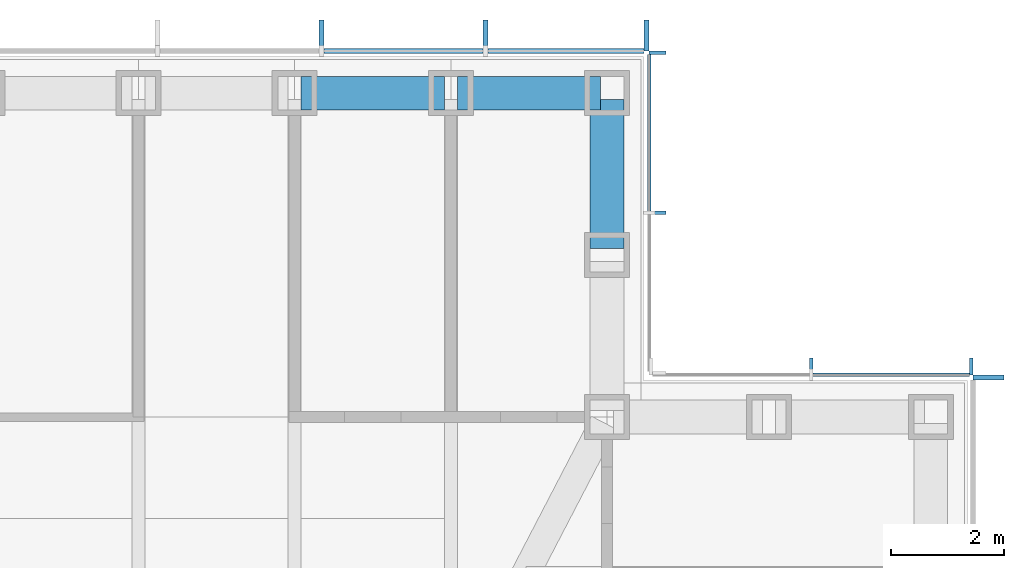
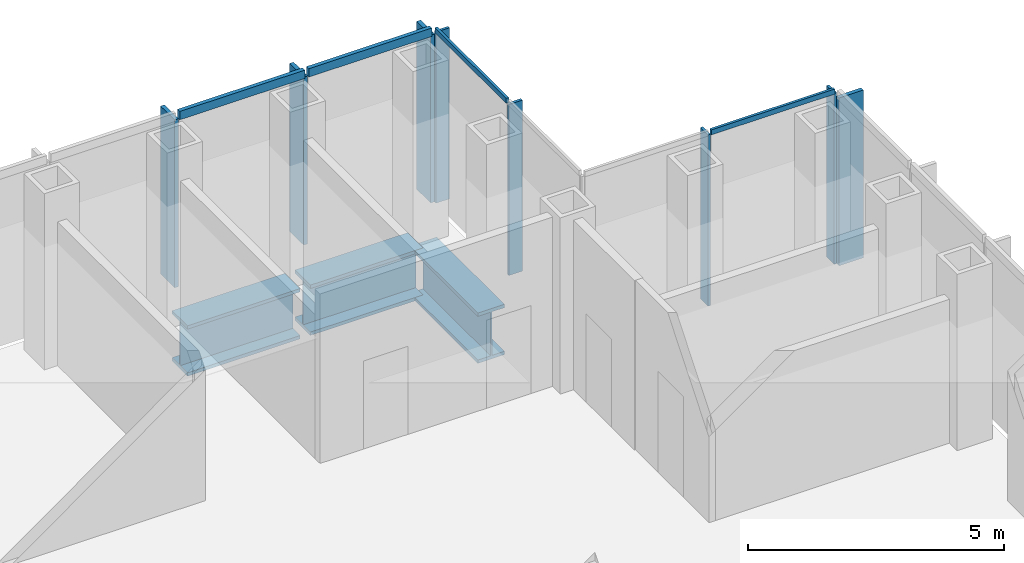
# One storey, part 6 of 16: 12 members, 3 beams, 4 elements without a shape of their own.
"""IFC4 building model written with IfcOpenShell, lengths in metres."""

from ifc_helpers import new_model, si_unit, direction, frame, origin, origin_2d, place, context, subcontext, project, spatial, rectangle, i_section, extrude, material, material_profile, profile_set, type_object, element, aggregate, save


model = new_model("IFC4")

# Units and contexts
model_context = context("Model", 3, precision=1e-05, world=origin(), true_north=direction((0.0, 1.0)))
body_context = subcontext(model_context, "Body", "Model", "MODEL_VIEW")
ifc_project = project(units=[si_unit("LENGTHUNIT", "METRE"), si_unit("AREAUNIT", "SQUARE_METRE"), si_unit("VOLUMEUNIT", "CUBIC_METRE"), si_unit("PLANEANGLEUNIT", "RADIAN"), si_unit("MASSUNIT", "GRAM", prefix="KILO")], contexts=[model_context])

# Site, building, storey
site_placement = place(None, origin())
site = spatial("IfcSite", under=ifc_project, at=site_placement, CompositionType="ELEMENT")
building_placement = place(site_placement, origin())
building = spatial("IfcBuilding", under=site, at=building_placement, Name="Daluyong Arena Tower", CompositionType="ELEMENT")
storey_placement = place(building_placement, frame((0.0, 0.0, 254.5)))
storey = spatial("IfcBuildingStorey", under=building, at=storey_placement, Name="L57", CompositionType="ELEMENT", Elevation=254.5)

# Curtain wall, member
ifc_material_1 = material(Name="Bronze anodised aluminium and glass", Category="aluminium")
curtain_wall_type_1 = type_object("IfcCurtainWallType", Name="Curtain wall CW4", PredefinedType="USERDEFINED", material=ifc_material_1)
curtain_wall_1_placement = place(storey_placement, origin())
curtain_wall_1 = element("IfcCurtainWall", 1, at=curtain_wall_1_placement, inside=storey, type_object=curtain_wall_type_1, Name="curtain wall L57 E", ObjectType="UNITISED CURTAIN WALL", PredefinedType="USERDEFINED")
ifc_material_2 = material(Name="Bronze anodised aluminium fin", Category="aluminium")
ifc_material_profile_1 = material_profile(ifc_material_2, rectangle(XDim=0.550048828125, YDim=0.090087890625, at=origin_2d()))
ifc_profile_set_1 = profile_set([ifc_material_profile_1], Name="Bronze anodised aluminium fin")
member_type_1 = type_object("IfcMemberType", Name="CW4 bronze fin 550x90", PredefinedType="MULLION", material=ifc_profile_set_1)
member_1_placement = place(storey_placement, frame((78.02490234375, 95.955078125, 0.0), z_axis=(0.0, 0.0, 1.0), x_axis=(-1.0, 0.0, 0.0)))
member_1 = element("IfcMember", 2, at=member_1_placement, type_object=member_type_1, Name="curtain wall L57 E fin 12", PredefinedType="MULLION", context=body_context, shape_type="SweptSolid", body=[
    extrude(rectangle(XDim=0.550048828125, YDim=0.090087890625, at=origin_2d()), origin(), (0.0, 0.0, 1.0), 4.0),
])
aggregate(curtain_wall_1, [member_1])

# Curtain wall, members
curtain_wall_2_placement = place(storey_placement, origin())
curtain_wall_2 = element("IfcCurtainWall", 3, at=curtain_wall_2_placement, inside=storey, type_object=curtain_wall_type_1, Name="curtain wall L57 N", ObjectType="UNITISED CURTAIN WALL", PredefinedType="USERDEFINED")
member_2_placement = place(storey_placement, frame((71.955078125, 102.02490234375, 0.0), z_axis=(0.0, 0.0, 1.0), x_axis=(0.0, -1.0, 0.0)))
member_2 = element("IfcMember", 4, at=member_2_placement, type_object=member_type_1, Name="curtain wall L57 N fin 1", PredefinedType="MULLION", context=body_context, shape_type="SweptSolid", body=[
    extrude(rectangle(XDim=0.550048828125, YDim=0.090087890625, at=origin_2d()), origin(), (0.0, 0.0, 1.0), 4.0),
])
member_3_placement = place(storey_placement, frame((69.0908203125, 102.02490234375, 0.0), z_axis=(0.0, 0.0, 1.0), x_axis=(0.0, -1.0, 0.0)))
member_3 = element("IfcMember", 5, at=member_3_placement, type_object=member_type_1, Name="curtain wall L57 N fin 2", PredefinedType="MULLION", context=body_context, shape_type="SweptSolid", body=[
    extrude(rectangle(XDim=0.550048828125, YDim=0.090087890625, at=origin_2d()), origin(), (0.0, 0.0, 1.0), 4.0),
])
member_4_placement = place(storey_placement, frame((66.181884765625, 102.02490234375, 0.0), z_axis=(0.0, 0.0, 1.0), x_axis=(0.0, -1.0, 0.0)))
member_4 = element("IfcMember", 6, at=member_4_placement, type_object=member_type_1, Name="curtain wall L57 N fin 3", PredefinedType="MULLION", context=body_context, shape_type="SweptSolid", body=[
    extrude(rectangle(XDim=0.550048828125, YDim=0.090087890625, at=origin_2d()), origin(), (0.0, 0.0, 1.0), 4.0),
])
ifc_material_3 = material(Name="Bronze anodised aluminium", Category="aluminium")
ifc_material_profile_2 = material_profile(ifc_material_3, rectangle(XDim=0.090087890625, YDim=0.199951171875, at=origin_2d()))
ifc_profile_set_2 = profile_set([ifc_material_profile_2], Name="Bronze anodised aluminium")
member_type_2 = type_object("IfcMemberType", Name="CW4 stack transom 200x90", PredefinedType="USERDEFINED", material=ifc_profile_set_2)
member_5_placement = place(storey_placement, frame((71.909912109375, 101.75, 4.10009765625), z_axis=(-1.0, 0.0, 0.0), x_axis=(0.0, -1.0, 0.0)))
member_5 = element("IfcMember", 7, at=member_5_placement, type_object=member_type_2, Name="curtain wall L57 N transom 1", ObjectType="TRANSOM", PredefinedType="USERDEFINED", context=body_context, shape_type="SweptSolid", body=[
    extrude(rectangle(XDim=0.090087890625, YDim=0.199951171875, at=origin_2d()), origin(), (0.0, 0.0, 1.0), 2.77392578125),
])
member_6_placement = place(storey_placement, frame((69.0458984375, 101.75, 4.10009765625), z_axis=(-1.0, 0.0, 0.0), x_axis=(0.0, -1.0, 0.0)))
member_6 = element("IfcMember", 8, at=member_6_placement, type_object=member_type_2, Name="curtain wall L57 N transom 2", ObjectType="TRANSOM", PredefinedType="USERDEFINED", context=body_context, shape_type="SweptSolid", body=[
    extrude(rectangle(XDim=0.090087890625, YDim=0.199951171875, at=origin_2d()), origin(), (0.0, 0.0, 1.0), 2.819091796875),
])
aggregate(curtain_wall_2, [member_2, member_3, member_4, member_5, member_6])

ifc_material_4 = material(Name="Bronze anodised aluminium and glass", Category="aluminium")
curtain_wall_type_2 = type_object("IfcCurtainWallType", Name="Curtain wall CW7", PredefinedType="USERDEFINED", material=ifc_material_4)
curtain_wall_3_placement = place(storey_placement, origin())
curtain_wall_3 = element("IfcCurtainWall", 9, at=curtain_wall_3_placement, inside=storey, type_object=curtain_wall_type_2, Name="curtain wall L57 NE-N", ObjectType="UNITISED CURTAIN WALL", PredefinedType="USERDEFINED")
ifc_material_5 = material(Name="Bronze anodised aluminium fin", Category="aluminium")
ifc_material_profile_3 = material_profile(ifc_material_5, rectangle(XDim=0.300048828125, YDim=0.06005859375, at=origin_2d()))
ifc_profile_set_3 = profile_set([ifc_material_profile_3], Name="Bronze anodised aluminium fin")
member_type_3 = type_object("IfcMemberType", Name="CW7 bronze fin 300x60", PredefinedType="MULLION", material=ifc_profile_set_3)
member_7_placement = place(storey_placement, frame((77.719970703125, 96.14990234375, 0.0), z_axis=(0.0, 0.0, 1.0), x_axis=(0.0, -1.0, 0.0)))
member_7 = element("IfcMember", 10, at=member_7_placement, type_object=member_type_3, Name="curtain wall L57 NE-N fin 1", PredefinedType="MULLION", context=body_context, shape_type="SweptSolid", body=[
    extrude(rectangle(XDim=0.300048828125, YDim=0.06005859375, at=origin_2d()), origin(), (0.0, 0.0, 1.0), 4.080078125),
])
member_8_placement = place(storey_placement, frame((74.875, 96.14990234375, 0.0), z_axis=(0.0, 0.0, 1.0), x_axis=(0.0, -1.0, 0.0)))
member_8 = element("IfcMember", 11, at=member_8_placement, type_object=member_type_3, Name="curtain wall L57 NE-N fin 2", PredefinedType="MULLION", context=body_context, shape_type="SweptSolid", body=[
    extrude(rectangle(XDim=0.300048828125, YDim=0.06005859375, at=origin_2d()), origin(), (0.0, 0.0, 1.0), 4.080078125),
])

curtain_wall_4_placement = place(storey_placement, origin())
curtain_wall_4 = element("IfcCurtainWall", 12, at=curtain_wall_4_placement, inside=storey, type_object=curtain_wall_type_2, Name="curtain wall L57 NE-E", ObjectType="UNITISED CURTAIN WALL", PredefinedType="USERDEFINED")
member_9_placement = place(storey_placement, frame((72.14990234375, 98.875, 0.0), z_axis=(0.0, 0.0, 1.0), x_axis=(-1.0, 0.0, 0.0)))
member_9 = element("IfcMember", 13, at=member_9_placement, type_object=member_type_3, Name="curtain wall L57 NE-E fin 2", PredefinedType="MULLION", context=body_context, shape_type="SweptSolid", body=[
    extrude(rectangle(XDim=0.300048828125, YDim=0.06005859375, at=origin_2d()), origin(), (0.0, 0.0, 1.0), 4.080078125),
])
member_10_placement = place(storey_placement, frame((72.14990234375, 101.719970703125, 0.0), z_axis=(0.0, 0.0, 1.0), x_axis=(-1.0, 0.0, 0.0)))
member_10 = element("IfcMember", 14, at=member_10_placement, type_object=member_type_3, Name="curtain wall L57 NE-E fin 3", PredefinedType="MULLION", context=body_context, shape_type="SweptSolid", body=[
    extrude(rectangle(XDim=0.300048828125, YDim=0.06005859375, at=origin_2d()), origin(), (0.0, 0.0, 1.0), 4.080078125),
])

# Member
ifc_material_6 = material(Name="Bronze anodised aluminium", Category="aluminium")
ifc_material_profile_4 = material_profile(ifc_material_6, rectangle(XDim=0.06005859375, YDim=0.1201171875, at=origin_2d()))
ifc_profile_set_4 = profile_set([ifc_material_profile_4], Name="Bronze anodised aluminium")
member_type_4 = type_object("IfcMemberType", Name="CW7 stack transom 120x60", PredefinedType="USERDEFINED", material=ifc_profile_set_4)
member_11_placement = place(storey_placement, frame((77.68994140625, 96.0, 4.139892578125), z_axis=(-1.0, 0.0, 0.0), x_axis=(0.0, -1.0, 0.0)))
member_11 = element("IfcMember", 15, at=member_11_placement, type_object=member_type_4, Name="curtain wall L57 NE-N transom 1", ObjectType="TRANSOM", PredefinedType="USERDEFINED", context=body_context, shape_type="SweptSolid", body=[
    extrude(rectangle(XDim=0.06005859375, YDim=0.1201171875, at=origin_2d()), origin(), (0.0, 0.0, 1.0), 2.784912109375),
])

aggregate(curtain_wall_3, [member_7, member_8, member_11])

member_12_placement = place(storey_placement, frame((72.0, 98.905029296875, 4.139892578125), z_axis=(0.0, 1.0, 0.0), x_axis=(-1.0, 0.0, 0.0)))
member_12 = element("IfcMember", 16, at=member_12_placement, type_object=member_type_4, Name="curtain wall L57 NE-E transom 2", ObjectType="TRANSOM", PredefinedType="USERDEFINED", context=body_context, shape_type="SweptSolid", body=[
    extrude(rectangle(XDim=0.06005859375, YDim=0.1201171875, at=origin_2d()), origin(), (0.0, 0.0, 1.0), 2.784912109375),
])

aggregate(curtain_wall_4, [member_9, member_10, member_12])

# Beams
ifc_material_7 = material(Name="Steel ASTM A572 Grade 50", Category="steel")
ifc_material_profile_5 = material_profile(ifc_material_7, i_section(OverallWidth=0.60009765625, OverallDepth=1.199951171875, WebThickness=0.03, FlangeThickness=0.08, at=origin_2d()))
ifc_profile_set_5 = profile_set([ifc_material_profile_5], Name="Steel ASTM A572 Grade 50")
beam_type = type_object("IfcBeamType", Name="Spandrel Z4 PG1200X600", PredefinedType="SPANDREL", material=ifc_profile_set_5)
beam_placement = place(storey_placement, frame((71.25, 98.239990234375, -0.760009765625), z_axis=(0.0, 1.0, 0.0), x_axis=(-1.0, 0.0, 0.0)))
element("IfcBeam", 17, at=beam_placement, inside=storey, type_object=beam_type, Name="spandrel z4 SB9", PredefinedType="SPANDREL", context=body_context, shape_type="SweptSolid", body=[
    extrude(i_section(OverallWidth=0.60009765625, OverallDepth=1.199951171875, WebThickness=0.03, FlangeThickness=0.08, at=origin_2d()), origin(), (0.0, 0.0, 1.0), 2.64501953125),
])
for number, where, z_axis, x_axis, name in (
    (18, (71.135009765625, 101.0, -0.760009765625), (-1.0, 0.0, 0.0), (0.0, -1.0, 0.0), "spandrel z4 SB9"),
    (19, (68.3623046875, 101.0, -0.760009765625), (-1.0, 0.0, 0.0), (0.0, -1.0, 0.0), "spandrel z4 SB9"),
):
    element("IfcBeam", number, at=place(storey_placement, frame(where, z_axis=z_axis, x_axis=x_axis)), inside=storey, type_object=beam_type, Name=name, PredefinedType="SPANDREL", context=body_context, shape_type="SweptSolid", body=[
        extrude(i_section(OverallWidth=0.60009765625, OverallDepth=1.199951171875, WebThickness=0.03, FlangeThickness=0.08, at=origin_2d()), origin(), (0.0, 0.0, 1.0), 2.542724609375),
    ])

save(model, "model.ifc")
